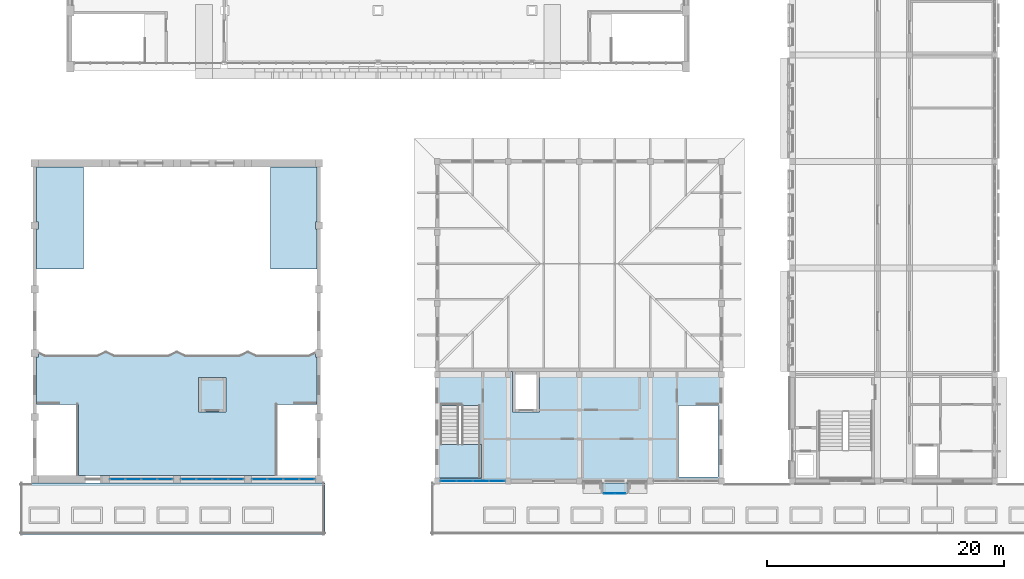
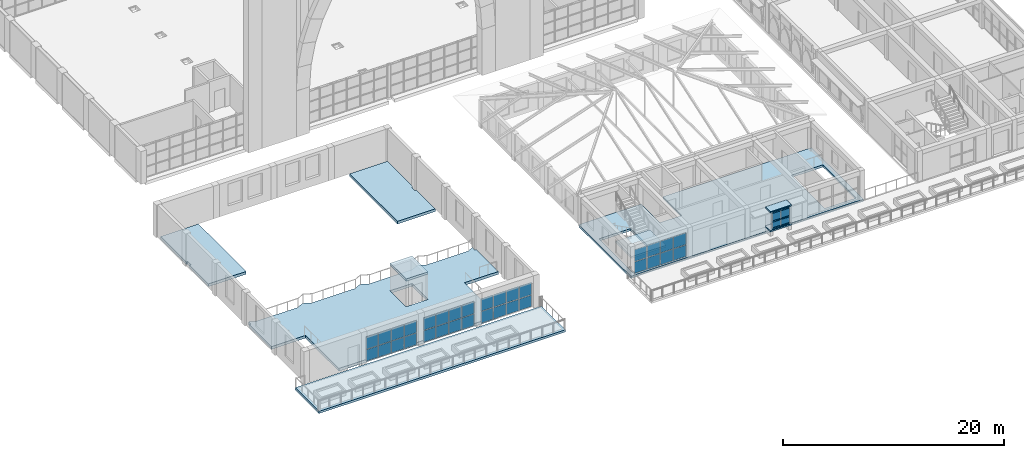
# One storey, part 34 of 82: 36 plates, 9 slabs, 6 members, 6 elements without a shape of their own.
"""IFC4 building model written with IfcOpenShell, lengths in metres."""

from ifc_helpers import new_model, si_unit, direction, frame, origin, origin_2d, place, context, subcontext, project, spatial, polyline, rectangle, outline, extrude, material, layer, layer_set, material_profile, profile_set, type_object, element, aggregate, save


model = new_model("IFC4")

# Units and contexts
model_context = context("Model", 3, precision=1e-05, world=origin(), true_north=direction((0.0, 1.0)))
body_context = subcontext(model_context, "Body", "Model", "MODEL_VIEW")
ifc_project = project(units=[si_unit("LENGTHUNIT", "METRE"), si_unit("AREAUNIT", "SQUARE_METRE"), si_unit("VOLUMEUNIT", "CUBIC_METRE"), si_unit("PLANEANGLEUNIT", "RADIAN"), si_unit("MASSUNIT", "GRAM", prefix="KILO")], contexts=[model_context])

# Site, building, storey
site_placement = place(None, origin())
site = spatial("IfcSite", under=ifc_project, at=site_placement, CompositionType="ELEMENT")
building_placement = place(site_placement, origin())
building = spatial("IfcBuilding", under=site, at=building_placement, Name="Elbe Cascade School", CompositionType="ELEMENT")
storey_placement = place(building_placement, frame((0.0, 0.0, 4.5)))
storey = spatial("IfcBuildingStorey", under=building, at=storey_placement, Name="L01", CompositionType="ELEMENT", Elevation=4.5)

# Curtain wall, members
ifc_material_1 = material(Name="Cafe jharokha curtain wall")
curtain_wall_type_1 = type_object("IfcCurtainWallType", Name="Cafe jharokha curtain wall", PredefinedType="NOTDEFINED", material=ifc_material_1)
curtain_wall_1_placement = place(storey_placement, origin())
curtain_wall_1 = element("IfcCurtainWall", 1, at=curtain_wall_1_placement, inside=storey, type_object=curtain_wall_type_1, Name="Curtain wall CW7 jharokha", PredefinedType="NOTDEFINED")
ifc_material_2 = material(Name="Aluminium - bronze anodised", Category="aluminium")
ifc_material_profile = material_profile(ifc_material_2, rectangle(XDim=0.06005859375, YDim=0.1201171875, at=origin_2d()), Name="RECT 60x120")
ifc_profile_set = profile_set([ifc_material_profile], Name="Aluminium - bronze anodised")
member_type = type_object("IfcMemberType", Name="Cafe jharokha transom 60 x 120", PredefinedType="USERDEFINED", material=ifc_profile_set)
member_1_placement = place(storey_placement, frame((53.110107421875, 4.949951171875, 0.830078125), z_axis=(1.0, 0.0, 0.0), x_axis=(0.0, 1.0, 0.0)))
member_1 = element("IfcMember", 2, at=member_1_placement, type_object=member_type, Name="CW7 transom 1.1", ObjectType="TRANSOM", PredefinedType="USERDEFINED", context=body_context, shape_type="SweptSolid", body=[
    extrude(rectangle(XDim=0.06005859375, YDim=0.1201171875, at=origin_2d()), origin(), (0.0, 0.0, 1.0), 0.85986328125),
])
member_2_placement = place(storey_placement, frame((53.110107421875, 4.949951171875, 1.60009765625), z_axis=(1.0, 0.0, 0.0), x_axis=(0.0, 1.0, 0.0)))
member_2 = element("IfcMember", 3, at=member_2_placement, type_object=member_type, Name="CW7 transom 1.2", ObjectType="TRANSOM", PredefinedType="USERDEFINED", context=body_context, shape_type="SweptSolid", body=[
    extrude(rectangle(XDim=0.06005859375, YDim=0.1201171875, at=origin_2d()), origin(), (0.0, 0.0, 1.0), 0.85986328125),
])
member_3_placement = place(storey_placement, frame((53.110107421875, 4.949951171875, 2.570068359375), z_axis=(1.0, 0.0, 0.0), x_axis=(0.0, 1.0, 0.0)))
member_3 = element("IfcMember", 4, at=member_3_placement, type_object=member_type, Name="CW7 transom 1.3", ObjectType="TRANSOM", PredefinedType="USERDEFINED", context=body_context, shape_type="SweptSolid", body=[
    extrude(rectangle(XDim=0.06005859375, YDim=0.1201171875, at=origin_2d()), origin(), (0.0, 0.0, 1.0), 0.85986328125),
])
member_4_placement = place(storey_placement, frame((54.030029296875, 4.949951171875, 0.830078125), z_axis=(1.0, 0.0, 0.0), x_axis=(0.0, 1.0, 0.0)))
member_4 = element("IfcMember", 5, at=member_4_placement, type_object=member_type, Name="CW7 transom 2.1", ObjectType="TRANSOM", PredefinedType="USERDEFINED", context=body_context, shape_type="SweptSolid", body=[
    extrude(rectangle(XDim=0.06005859375, YDim=0.1201171875, at=origin_2d()), origin(), (0.0, 0.0, 1.0), 0.85986328125),
])
member_5_placement = place(storey_placement, frame((54.030029296875, 4.949951171875, 1.60009765625), z_axis=(1.0, 0.0, 0.0), x_axis=(0.0, 1.0, 0.0)))
member_5 = element("IfcMember", 6, at=member_5_placement, type_object=member_type, Name="CW7 transom 2.2", ObjectType="TRANSOM", PredefinedType="USERDEFINED", context=body_context, shape_type="SweptSolid", body=[
    extrude(rectangle(XDim=0.06005859375, YDim=0.1201171875, at=origin_2d()), origin(), (0.0, 0.0, 1.0), 0.85986328125),
])
member_6_placement = place(storey_placement, frame((54.030029296875, 4.949951171875, 2.570068359375), z_axis=(1.0, 0.0, 0.0), x_axis=(0.0, 1.0, 0.0)))
member_6 = element("IfcMember", 7, at=member_6_placement, type_object=member_type, Name="CW7 transom 2.3", ObjectType="TRANSOM", PredefinedType="USERDEFINED", context=body_context, shape_type="SweptSolid", body=[
    extrude(rectangle(XDim=0.06005859375, YDim=0.1201171875, at=origin_2d()), origin(), (0.0, 0.0, 1.0), 0.85986328125),
])

# Curtain wall, plates
ifc_material_3 = material(Name="Assembly hall curtain wall")
curtain_wall_type_2 = type_object("IfcCurtainWallType", Name="Assembly hall curtain wall", PredefinedType="NOTDEFINED", material=ifc_material_3)
curtain_wall_2_placement = place(storey_placement, origin())
curtain_wall_2 = element("IfcCurtainWall", 8, at=curtain_wall_2_placement, inside=storey, type_object=curtain_wall_type_2, Name="Curtain wall CW8 AU.L01.cw.s1", PredefinedType="NOTDEFINED")
ifc_material_4 = material(Name="Glass - double glazed low-E", Category="glass")
ifc_layer_1 = layer(ifc_material_4, 0.028076171875)
ifc_layer_set_1 = layer_set([ifc_layer_1], Name="Glass - double glazed low-E")
plate_type_1 = type_object("IfcPlateType", Name="Assembly hall curtain wall glazing panel 28", PredefinedType="CURTAIN_PANEL", material=ifc_layer_set_1)
plate_1_placement = place(storey_placement, frame((11.989990234375, 6.14990234375, 0.06005859375), z_axis=(0.0, 0.0, 1.0), x_axis=(1.0, 0.0, 0.0)))
plate_1 = element("IfcPlate", 9, at=plate_1_placement, type_object=plate_type_1, Name="CW8 panel 1.1", PredefinedType="CURTAIN_PANEL", context=body_context, shape_type="SweptSolid", body=[
    extrude(rectangle(XDim=1.260009765625, YDim=0.028076171875, at=origin_2d()), origin(), (0.0, 0.0, 1.0), 1.260009765625),
])
plate_2_placement = place(storey_placement, frame((11.989990234375, 6.14990234375, 1.3798828125), z_axis=(0.0, 0.0, 1.0), x_axis=(1.0, 0.0, 0.0)))
plate_2 = element("IfcPlate", 10, at=plate_2_placement, type_object=plate_type_1, Name="CW8 panel 1.2", PredefinedType="CURTAIN_PANEL", context=body_context, shape_type="SweptSolid", body=[
    extrude(rectangle(XDim=1.260009765625, YDim=0.028076171875, at=origin_2d()), origin(), (0.0, 0.0, 1.0), 1.360107421875),
])
plate_3_placement = place(storey_placement, frame((13.324951171875, 6.14990234375, 0.06005859375), z_axis=(0.0, 0.0, 1.0), x_axis=(1.0, 0.0, 0.0)))
plate_3 = element("IfcPlate", 11, at=plate_3_placement, type_object=plate_type_1, Name="CW8 panel 2.1", PredefinedType="CURTAIN_PANEL", context=body_context, shape_type="SweptSolid", body=[
    extrude(rectangle(XDim=1.2900390625, YDim=0.028076171875, at=origin_2d()), origin(), (0.0, 0.0, 1.0), 1.260009765625),
])
plate_4_placement = place(storey_placement, frame((13.324951171875, 6.14990234375, 1.3798828125), z_axis=(0.0, 0.0, 1.0), x_axis=(1.0, 0.0, 0.0)))
plate_4 = element("IfcPlate", 12, at=plate_4_placement, type_object=plate_type_1, Name="CW8 panel 2.2", PredefinedType="CURTAIN_PANEL", context=body_context, shape_type="SweptSolid", body=[
    extrude(rectangle(XDim=1.2900390625, YDim=0.028076171875, at=origin_2d()), origin(), (0.0, 0.0, 1.0), 1.360107421875),
])
plate_5_placement = place(storey_placement, frame((14.675048828125, 6.14990234375, 0.06005859375), z_axis=(0.0, 0.0, 1.0), x_axis=(1.0, 0.0, 0.0)))
plate_5 = element("IfcPlate", 13, at=plate_5_placement, type_object=plate_type_1, Name="CW8 panel 3.1", PredefinedType="CURTAIN_PANEL", context=body_context, shape_type="SweptSolid", body=[
    extrude(rectangle(XDim=1.2900390625, YDim=0.028076171875, at=origin_2d()), origin(), (0.0, 0.0, 1.0), 1.260009765625),
])
plate_6_placement = place(storey_placement, frame((14.675048828125, 6.14990234375, 1.3798828125), z_axis=(0.0, 0.0, 1.0), x_axis=(1.0, 0.0, 0.0)))
plate_6 = element("IfcPlate", 14, at=plate_6_placement, type_object=plate_type_1, Name="CW8 panel 3.2", PredefinedType="CURTAIN_PANEL", context=body_context, shape_type="SweptSolid", body=[
    extrude(rectangle(XDim=1.2900390625, YDim=0.028076171875, at=origin_2d()), origin(), (0.0, 0.0, 1.0), 1.360107421875),
])
plate_7_placement = place(storey_placement, frame((16.010009765625, 6.14990234375, 0.06005859375), z_axis=(0.0, 0.0, 1.0), x_axis=(1.0, 0.0, 0.0)))
plate_7 = element("IfcPlate", 15, at=plate_7_placement, type_object=plate_type_1, Name="CW8 panel 4.1", PredefinedType="CURTAIN_PANEL", context=body_context, shape_type="SweptSolid", body=[
    extrude(rectangle(XDim=1.260009765625, YDim=0.028076171875, at=origin_2d()), origin(), (0.0, 0.0, 1.0), 1.260009765625),
])
plate_8_placement = place(storey_placement, frame((16.010009765625, 6.14990234375, 1.3798828125), z_axis=(0.0, 0.0, 1.0), x_axis=(1.0, 0.0, 0.0)))
plate_8 = element("IfcPlate", 16, at=plate_8_placement, type_object=plate_type_1, Name="CW8 panel 4.2", PredefinedType="CURTAIN_PANEL", context=body_context, shape_type="SweptSolid", body=[
    extrude(rectangle(XDim=1.260009765625, YDim=0.028076171875, at=origin_2d()), origin(), (0.0, 0.0, 1.0), 1.360107421875),
])
aggregate(curtain_wall_2, [plate_1, plate_2, plate_3, plate_4, plate_5, plate_6, plate_7, plate_8])

curtain_wall_3_placement = place(storey_placement, origin())
curtain_wall_3 = element("IfcCurtainWall", 17, at=curtain_wall_3_placement, inside=storey, type_object=curtain_wall_type_2, Name="Curtain wall CW8 AU.L01.cw.s2", PredefinedType="NOTDEFINED")
plate_9_placement = place(storey_placement, frame((17.989990234375, 6.14990234375, 0.06005859375), z_axis=(0.0, 0.0, 1.0), x_axis=(1.0, 0.0, 0.0)))
plate_9 = element("IfcPlate", 18, at=plate_9_placement, type_object=plate_type_1, Name="CW8 panel 1.1", PredefinedType="CURTAIN_PANEL", context=body_context, shape_type="SweptSolid", body=[
    extrude(rectangle(XDim=1.260009765625, YDim=0.028076171875, at=origin_2d()), origin(), (0.0, 0.0, 1.0), 1.260009765625),
])
plate_10_placement = place(storey_placement, frame((17.989990234375, 6.14990234375, 1.3798828125), z_axis=(0.0, 0.0, 1.0), x_axis=(1.0, 0.0, 0.0)))
plate_10 = element("IfcPlate", 19, at=plate_10_placement, type_object=plate_type_1, Name="CW8 panel 1.2", PredefinedType="CURTAIN_PANEL", context=body_context, shape_type="SweptSolid", body=[
    extrude(rectangle(XDim=1.260009765625, YDim=0.028076171875, at=origin_2d()), origin(), (0.0, 0.0, 1.0), 1.360107421875),
])
plate_11_placement = place(storey_placement, frame((19.324951171875, 6.14990234375, 0.06005859375), z_axis=(0.0, 0.0, 1.0), x_axis=(1.0, 0.0, 0.0)))
plate_11 = element("IfcPlate", 20, at=plate_11_placement, type_object=plate_type_1, Name="CW8 panel 2.1", PredefinedType="CURTAIN_PANEL", context=body_context, shape_type="SweptSolid", body=[
    extrude(rectangle(XDim=1.2900390625, YDim=0.028076171875, at=origin_2d()), origin(), (0.0, 0.0, 1.0), 1.260009765625),
])
plate_12_placement = place(storey_placement, frame((19.324951171875, 6.14990234375, 1.3798828125), z_axis=(0.0, 0.0, 1.0), x_axis=(1.0, 0.0, 0.0)))
plate_12 = element("IfcPlate", 21, at=plate_12_placement, type_object=plate_type_1, Name="CW8 panel 2.2", PredefinedType="CURTAIN_PANEL", context=body_context, shape_type="SweptSolid", body=[
    extrude(rectangle(XDim=1.2900390625, YDim=0.028076171875, at=origin_2d()), origin(), (0.0, 0.0, 1.0), 1.360107421875),
])
plate_13_placement = place(storey_placement, frame((20.675048828125, 6.14990234375, 0.06005859375), z_axis=(0.0, 0.0, 1.0), x_axis=(1.0, 0.0, 0.0)))
plate_13 = element("IfcPlate", 22, at=plate_13_placement, type_object=plate_type_1, Name="CW8 panel 3.1", PredefinedType="CURTAIN_PANEL", context=body_context, shape_type="SweptSolid", body=[
    extrude(rectangle(XDim=1.2900390625, YDim=0.028076171875, at=origin_2d()), origin(), (0.0, 0.0, 1.0), 1.260009765625),
])
plate_14_placement = place(storey_placement, frame((20.675048828125, 6.14990234375, 1.3798828125), z_axis=(0.0, 0.0, 1.0), x_axis=(1.0, 0.0, 0.0)))
plate_14 = element("IfcPlate", 23, at=plate_14_placement, type_object=plate_type_1, Name="CW8 panel 3.2", PredefinedType="CURTAIN_PANEL", context=body_context, shape_type="SweptSolid", body=[
    extrude(rectangle(XDim=1.2900390625, YDim=0.028076171875, at=origin_2d()), origin(), (0.0, 0.0, 1.0), 1.360107421875),
])
plate_15_placement = place(storey_placement, frame((22.010009765625, 6.14990234375, 0.06005859375), z_axis=(0.0, 0.0, 1.0), x_axis=(1.0, 0.0, 0.0)))
plate_15 = element("IfcPlate", 24, at=plate_15_placement, type_object=plate_type_1, Name="CW8 panel 4.1", PredefinedType="CURTAIN_PANEL", context=body_context, shape_type="SweptSolid", body=[
    extrude(rectangle(XDim=1.260009765625, YDim=0.028076171875, at=origin_2d()), origin(), (0.0, 0.0, 1.0), 1.260009765625),
])
plate_16_placement = place(storey_placement, frame((22.010009765625, 6.14990234375, 1.3798828125), z_axis=(0.0, 0.0, 1.0), x_axis=(1.0, 0.0, 0.0)))
plate_16 = element("IfcPlate", 25, at=plate_16_placement, type_object=plate_type_1, Name="CW8 panel 4.2", PredefinedType="CURTAIN_PANEL", context=body_context, shape_type="SweptSolid", body=[
    extrude(rectangle(XDim=1.260009765625, YDim=0.028076171875, at=origin_2d()), origin(), (0.0, 0.0, 1.0), 1.360107421875),
])
aggregate(curtain_wall_3, [plate_9, plate_10, plate_11, plate_12, plate_13, plate_14, plate_15, plate_16])

curtain_wall_4_placement = place(storey_placement, origin())
curtain_wall_4 = element("IfcCurtainWall", 26, at=curtain_wall_4_placement, inside=storey, type_object=curtain_wall_type_2, Name="Curtain wall CW8 AU.L01.cw.s3", PredefinedType="NOTDEFINED")
plate_17_placement = place(storey_placement, frame((23.989990234375, 6.14990234375, 0.06005859375), z_axis=(0.0, 0.0, 1.0), x_axis=(1.0, 0.0, 0.0)))
plate_17 = element("IfcPlate", 27, at=plate_17_placement, type_object=plate_type_1, Name="CW8 panel 1.1", PredefinedType="CURTAIN_PANEL", context=body_context, shape_type="SweptSolid", body=[
    extrude(rectangle(XDim=1.260009765625, YDim=0.028076171875, at=origin_2d()), origin(), (0.0, 0.0, 1.0), 1.260009765625),
])
plate_18_placement = place(storey_placement, frame((23.989990234375, 6.14990234375, 1.3798828125), z_axis=(0.0, 0.0, 1.0), x_axis=(1.0, 0.0, 0.0)))
plate_18 = element("IfcPlate", 28, at=plate_18_placement, type_object=plate_type_1, Name="CW8 panel 1.2", PredefinedType="CURTAIN_PANEL", context=body_context, shape_type="SweptSolid", body=[
    extrude(rectangle(XDim=1.260009765625, YDim=0.028076171875, at=origin_2d()), origin(), (0.0, 0.0, 1.0), 1.360107421875),
])
plate_19_placement = place(storey_placement, frame((25.324951171875, 6.14990234375, 0.06005859375), z_axis=(0.0, 0.0, 1.0), x_axis=(1.0, 0.0, 0.0)))
plate_19 = element("IfcPlate", 29, at=plate_19_placement, type_object=plate_type_1, Name="CW8 panel 2.1", PredefinedType="CURTAIN_PANEL", context=body_context, shape_type="SweptSolid", body=[
    extrude(rectangle(XDim=1.2900390625, YDim=0.028076171875, at=origin_2d()), origin(), (0.0, 0.0, 1.0), 1.260009765625),
])
plate_20_placement = place(storey_placement, frame((25.324951171875, 6.14990234375, 1.3798828125), z_axis=(0.0, 0.0, 1.0), x_axis=(1.0, 0.0, 0.0)))
plate_20 = element("IfcPlate", 30, at=plate_20_placement, type_object=plate_type_1, Name="CW8 panel 2.2", PredefinedType="CURTAIN_PANEL", context=body_context, shape_type="SweptSolid", body=[
    extrude(rectangle(XDim=1.2900390625, YDim=0.028076171875, at=origin_2d()), origin(), (0.0, 0.0, 1.0), 1.360107421875),
])
plate_21_placement = place(storey_placement, frame((26.675048828125, 6.14990234375, 0.06005859375), z_axis=(0.0, 0.0, 1.0), x_axis=(1.0, 0.0, 0.0)))
plate_21 = element("IfcPlate", 31, at=plate_21_placement, type_object=plate_type_1, Name="CW8 panel 3.1", PredefinedType="CURTAIN_PANEL", context=body_context, shape_type="SweptSolid", body=[
    extrude(rectangle(XDim=1.2900390625, YDim=0.028076171875, at=origin_2d()), origin(), (0.0, 0.0, 1.0), 1.260009765625),
])
plate_22_placement = place(storey_placement, frame((26.675048828125, 6.14990234375, 1.3798828125), z_axis=(0.0, 0.0, 1.0), x_axis=(1.0, 0.0, 0.0)))
plate_22 = element("IfcPlate", 32, at=plate_22_placement, type_object=plate_type_1, Name="CW8 panel 3.2", PredefinedType="CURTAIN_PANEL", context=body_context, shape_type="SweptSolid", body=[
    extrude(rectangle(XDim=1.2900390625, YDim=0.028076171875, at=origin_2d()), origin(), (0.0, 0.0, 1.0), 1.360107421875),
])
plate_23_placement = place(storey_placement, frame((28.010009765625, 6.14990234375, 0.06005859375), z_axis=(0.0, 0.0, 1.0), x_axis=(1.0, 0.0, 0.0)))
plate_23 = element("IfcPlate", 33, at=plate_23_placement, type_object=plate_type_1, Name="CW8 panel 4.1", PredefinedType="CURTAIN_PANEL", context=body_context, shape_type="SweptSolid", body=[
    extrude(rectangle(XDim=1.260009765625, YDim=0.028076171875, at=origin_2d()), origin(), (0.0, 0.0, 1.0), 1.260009765625),
])
plate_24_placement = place(storey_placement, frame((28.010009765625, 6.14990234375, 1.3798828125), z_axis=(0.0, 0.0, 1.0), x_axis=(1.0, 0.0, 0.0)))
plate_24 = element("IfcPlate", 34, at=plate_24_placement, type_object=plate_type_1, Name="CW8 panel 4.2", PredefinedType="CURTAIN_PANEL", context=body_context, shape_type="SweptSolid", body=[
    extrude(rectangle(XDim=1.260009765625, YDim=0.028076171875, at=origin_2d()), origin(), (0.0, 0.0, 1.0), 1.360107421875),
])
aggregate(curtain_wall_4, [plate_17, plate_18, plate_19, plate_20, plate_21, plate_22, plate_23, plate_24])

# Slabs
ifc_material_5 = material(Name="Concrete C30/37", Category="concrete")
ifc_layer_2 = layer(ifc_material_5, 0.300048828125)
ifc_layer_set_2 = layer_set([ifc_layer_2], Name="Concrete C30/37")
slab_type_1 = type_object("IfcSlabType", Name="Assembly hall gallery slab 300", PredefinedType="FLOOR", material=ifc_layer_set_2)
slab_1_placement = place(storey_placement, frame((0.0, 0.0, -0.300048828125)))
element("IfcSlab", 35, at=slab_1_placement, inside=storey, type_object=slab_type_1, Name="Assembly hall gallery slab 300 S16", PredefinedType="FLOOR", context=body_context, shape_type="SweptSolid", body=[
    extrude(outline(polyline([(8.699951171875, 6.449951171875), (8.699951171875, 12.47998046875), (5.14990234375, 12.47998046875), (5.14990234375, 16.5), (5.300048828125, 16.5), (5.300048828125, 16.929931640625), (5.89990234375, 16.64990234375), (10.25, 16.64990234375), (11.0, 17.0), (11.75, 16.64990234375), (16.25, 16.64990234375), (17.0, 17.0), (17.75, 16.64990234375), (22.25, 16.64990234375), (23.0, 17.0), (23.75, 16.64990234375), (28.10009765625, 16.64990234375), (28.699951171875, 16.929931640625), (28.699951171875, 16.5), (28.85009765625, 16.5), (28.85009765625, 12.47998046875), (25.300048828125, 12.47998046875), (25.300048828125, 6.449951171875), (8.699951171875, 6.449951171875)]), holes=[polyline([(21.14990234375, 14.75), (18.85009765625, 14.75), (18.85009765625, 11.85009765625), (21.14990234375, 11.85009765625), (21.14990234375, 14.75)])]), origin(), (0.0, 0.0, 1.0), 0.300048828125),
])
slab_2_placement = place(storey_placement, frame((0.0, 0.0, -0.300048828125)))
element("IfcSlab", 36, at=slab_2_placement, inside=storey, type_object=slab_type_1, Name="Assembly hall gallery slab 300 S16", PredefinedType="FLOOR", context=body_context, shape_type="SweptSolid", body=[
    extrude(outline(polyline([(5.14990234375, 32.550048828125), (9.10009765625, 32.550048828125), (9.10009765625, 23.89990234375), (5.14990234375, 23.89990234375), (5.14990234375, 27.300048828125), (5.300048828125, 27.300048828125), (5.300048828125, 27.89990234375), (5.14990234375, 27.89990234375), (5.14990234375, 32.550048828125)])), origin(), (0.0, 0.0, 1.0), 0.300048828125),
])
slab_3_placement = place(storey_placement, frame((0.0, 0.0, -0.300048828125)))
element("IfcSlab", 37, at=slab_3_placement, inside=storey, type_object=slab_type_1, Name="Assembly hall gallery slab 300 S16", PredefinedType="FLOOR", context=body_context, shape_type="SweptSolid", body=[
    extrude(outline(polyline([(28.85009765625, 23.89990234375), (24.89990234375, 23.89990234375), (24.89990234375, 32.550048828125), (28.85009765625, 32.550048828125), (28.85009765625, 27.89990234375), (28.699951171875, 27.89990234375), (28.699951171875, 27.300048828125), (28.85009765625, 27.300048828125), (28.85009765625, 23.89990234375)])), origin(), (0.0, 0.0, 1.0), 0.300048828125),
])
ifc_material_6 = material(Name="Concrete C30/37", Category="concrete")
ifc_layer_3 = layer(ifc_material_6, 0.25)
ifc_layer_set_3 = layer_set([ifc_layer_3], Name="Concrete C30/37")
slab_type_2 = type_object("IfcSlabType", Name="Assembly hall lift overrun roof slab 250", PredefinedType="ROOF", material=ifc_layer_set_3)
slab_4_placement = place(storey_placement, frame((0.0, 0.0, 2.800048828125)))
element("IfcSlab", 38, at=slab_4_placement, inside=storey, type_object=slab_type_2, Name="Assembly hall lift overrun roof slab 250 S15", PredefinedType="ROOF", context=body_context, shape_type="SweptSolid", body=[
    extrude(outline(polyline([(21.14990234375, 11.85009765625), (21.14990234375, 14.75), (18.85009765625, 14.75), (18.85009765625, 11.85009765625), (21.14990234375, 11.85009765625)])), origin(), (0.0, 0.0, 1.0), 0.25),
])

# Curtain wall, plates
ifc_material_7 = material(Name="Cafe curtain wall")
curtain_wall_type_3 = type_object("IfcCurtainWallType", Name="Cafe curtain wall", PredefinedType="NOTDEFINED", material=ifc_material_7)
curtain_wall_5_placement = place(storey_placement, origin())
curtain_wall_5 = element("IfcCurtainWall", 39, at=curtain_wall_5_placement, inside=storey, type_object=curtain_wall_type_3, Name="Curtain wall CW1 DI.L01.cw.s0", PredefinedType="NOTDEFINED")
ifc_material_8 = material(Name="Glass - double glazed low-E", Category="glass")
ifc_layer_4 = layer(ifc_material_8, 0.028076171875)
ifc_layer_set_4 = layer_set([ifc_layer_4], Name="Glass - double glazed low-E")
plate_type_2 = type_object("IfcPlateType", Name="Cafe curtain wall glazing panel 28", PredefinedType="CURTAIN_PANEL", material=ifc_layer_set_4)
plate_25_placement = place(storey_placement, frame((39.952392578125, 6.0, 0.06005859375), z_axis=(0.0, 0.0, 1.0), x_axis=(1.0, 0.0, 0.0)))
plate_25 = element("IfcPlate", 40, at=plate_25_placement, type_object=plate_type_2, Name="CW1 panel 1.1", PredefinedType="CURTAIN_PANEL", context=body_context, shape_type="SweptSolid", body=[
    extrude(rectangle(XDim=1.284912109375, YDim=0.028076171875, at=origin_2d()), origin(), (0.0, 0.0, 1.0), 1.260009765625),
])
plate_26_placement = place(storey_placement, frame((39.952392578125, 6.0, 1.3798828125), z_axis=(0.0, 0.0, 1.0), x_axis=(1.0, 0.0, 0.0)))
plate_26 = element("IfcPlate", 41, at=plate_26_placement, type_object=plate_type_2, Name="CW1 panel 1.2", PredefinedType="CURTAIN_PANEL", context=body_context, shape_type="SweptSolid", body=[
    extrude(rectangle(XDim=1.284912109375, YDim=0.028076171875, at=origin_2d()), origin(), (0.0, 0.0, 1.0), 1.31005859375),
])
plate_27_placement = place(storey_placement, frame((41.3125, 6.0, 0.06005859375), z_axis=(0.0, 0.0, 1.0), x_axis=(1.0, 0.0, 0.0)))
plate_27 = element("IfcPlate", 42, at=plate_27_placement, type_object=plate_type_2, Name="CW1 panel 2.1", PredefinedType="CURTAIN_PANEL", context=body_context, shape_type="SweptSolid", body=[
    extrude(rectangle(XDim=1.31494140625, YDim=0.028076171875, at=origin_2d()), origin(), (0.0, 0.0, 1.0), 1.260009765625),
])
plate_28_placement = place(storey_placement, frame((41.3125, 6.0, 1.3798828125), z_axis=(0.0, 0.0, 1.0), x_axis=(1.0, 0.0, 0.0)))
plate_28 = element("IfcPlate", 43, at=plate_28_placement, type_object=plate_type_2, Name="CW1 panel 2.2", PredefinedType="CURTAIN_PANEL", context=body_context, shape_type="SweptSolid", body=[
    extrude(rectangle(XDim=1.31494140625, YDim=0.028076171875, at=origin_2d()), origin(), (0.0, 0.0, 1.0), 1.31005859375),
])
plate_29_placement = place(storey_placement, frame((42.6875, 6.0, 0.06005859375), z_axis=(0.0, 0.0, 1.0), x_axis=(1.0, 0.0, 0.0)))
plate_29 = element("IfcPlate", 44, at=plate_29_placement, type_object=plate_type_2, Name="CW1 panel 3.1", PredefinedType="CURTAIN_PANEL", context=body_context, shape_type="SweptSolid", body=[
    extrude(rectangle(XDim=1.31494140625, YDim=0.028076171875, at=origin_2d()), origin(), (0.0, 0.0, 1.0), 1.260009765625),
])
plate_30_placement = place(storey_placement, frame((42.6875, 6.0, 1.3798828125), z_axis=(0.0, 0.0, 1.0), x_axis=(1.0, 0.0, 0.0)))
plate_30 = element("IfcPlate", 45, at=plate_30_placement, type_object=plate_type_2, Name="CW1 panel 3.2", PredefinedType="CURTAIN_PANEL", context=body_context, shape_type="SweptSolid", body=[
    extrude(rectangle(XDim=1.31494140625, YDim=0.028076171875, at=origin_2d()), origin(), (0.0, 0.0, 1.0), 1.31005859375),
])
plate_31_placement = place(storey_placement, frame((44.047607421875, 6.0, 0.06005859375), z_axis=(0.0, 0.0, 1.0), x_axis=(1.0, 0.0, 0.0)))
plate_31 = element("IfcPlate", 46, at=plate_31_placement, type_object=plate_type_2, Name="CW1 panel 4.1", PredefinedType="CURTAIN_PANEL", context=body_context, shape_type="SweptSolid", body=[
    extrude(rectangle(XDim=1.284912109375, YDim=0.028076171875, at=origin_2d()), origin(), (0.0, 0.0, 1.0), 1.260009765625),
])
plate_32_placement = place(storey_placement, frame((44.047607421875, 6.0, 1.3798828125), z_axis=(0.0, 0.0, 1.0), x_axis=(1.0, 0.0, 0.0)))
plate_32 = element("IfcPlate", 47, at=plate_32_placement, type_object=plate_type_2, Name="CW1 panel 4.2", PredefinedType="CURTAIN_PANEL", context=body_context, shape_type="SweptSolid", body=[
    extrude(rectangle(XDim=1.284912109375, YDim=0.028076171875, at=origin_2d()), origin(), (0.0, 0.0, 1.0), 1.31005859375),
])
aggregate(curtain_wall_5, [plate_25, plate_26, plate_27, plate_28, plate_29, plate_30, plate_31, plate_32])

# Slab
ifc_material_9 = material(Name="Concrete C30/37", Category="concrete")
ifc_layer_5 = layer(ifc_material_9, 0.14990234375)
ifc_layer_set_5 = layer_set([ifc_layer_5], Name="Concrete C30/37")
slab_type_3 = type_object("IfcSlabType", Name="Cafe jharokha floor slab 150", PredefinedType="FLOOR", material=ifc_layer_set_5)
slab_5_placement = place(storey_placement, frame((0.0, 0.0, 0.5)))
element("IfcSlab", 48, at=slab_5_placement, inside=storey, type_object=slab_type_3, Name="Cafe jharokha floor slab 150 S43", PredefinedType="FLOOR", context=body_context, shape_type="SweptSolid", body=[
    extrude(outline(polyline([(55.10009765625, 4.949951171875), (55.10009765625, 5.85009765625), (52.89990234375, 5.85009765625), (52.89990234375, 4.949951171875), (55.10009765625, 4.949951171875)])), origin(), (0.0, 0.0, 1.0), 0.14990234375),
])

# Plate
ifc_material_10 = material(Name="Glass - double glazed low-E", Category="glass")
ifc_layer_6 = layer(ifc_material_10, 0.028076171875)
ifc_layer_set_6 = layer_set([ifc_layer_6], Name="Glass - double glazed low-E")
plate_type_3 = type_object("IfcPlateType", Name="Cafe jharokha glazing panel 28", PredefinedType="CURTAIN_PANEL", material=ifc_layer_set_6)
plate_33_placement = place(storey_placement, frame((53.5400390625, 4.949951171875, 0.860107421875), z_axis=(0.0, 0.0, 1.0), x_axis=(1.0, 0.0, 0.0)))
plate_33 = element("IfcPlate", 49, at=plate_33_placement, type_object=plate_type_3, Name="CW7 panel 1.1", PredefinedType="CURTAIN_PANEL", context=body_context, shape_type="SweptSolid", body=[
    extrude(rectangle(XDim=0.860107421875, YDim=0.028076171875, at=origin_2d()), origin(), (0.0, 0.0, 1.0), 0.7099609375),
])

plate_34_placement = place(storey_placement, frame((53.5400390625, 4.949951171875, 1.6298828125), z_axis=(0.0, 0.0, 1.0), x_axis=(1.0, 0.0, 0.0)))
plate_34 = element("IfcPlate", 50, at=plate_34_placement, type_object=plate_type_3, Name="CW7 panel 1.2", PredefinedType="CURTAIN_PANEL", context=body_context, shape_type="SweptSolid", body=[
    extrude(rectangle(XDim=0.860107421875, YDim=0.028076171875, at=origin_2d()), origin(), (0.0, 0.0, 1.0), 0.909912109375),
])

plate_35_placement = place(storey_placement, frame((54.4599609375, 4.949951171875, 0.860107421875), z_axis=(0.0, 0.0, 1.0), x_axis=(1.0, 0.0, 0.0)))
plate_35 = element("IfcPlate", 51, at=plate_35_placement, type_object=plate_type_3, Name="CW7 panel 2.1", PredefinedType="CURTAIN_PANEL", context=body_context, shape_type="SweptSolid", body=[
    extrude(rectangle(XDim=0.860107421875, YDim=0.028076171875, at=origin_2d()), origin(), (0.0, 0.0, 1.0), 0.7099609375),
])

plate_36_placement = place(storey_placement, frame((54.4599609375, 4.949951171875, 1.6298828125), z_axis=(0.0, 0.0, 1.0), x_axis=(1.0, 0.0, 0.0)))
plate_36 = element("IfcPlate", 52, at=plate_36_placement, type_object=plate_type_3, Name="CW7 panel 2.2", PredefinedType="CURTAIN_PANEL", context=body_context, shape_type="SweptSolid", body=[
    extrude(rectangle(XDim=0.860107421875, YDim=0.028076171875, at=origin_2d()), origin(), (0.0, 0.0, 1.0), 0.909912109375),
])

aggregate(curtain_wall_1, [member_1, member_2, member_3, plate_33, plate_34, member_4, member_5, member_6, plate_35, plate_36])

# Slabs
ifc_material_11 = material(Name="Concrete C30/37", Category="concrete")
ifc_layer_7 = layer(ifc_material_11, 0.14990234375)
ifc_layer_set_7 = layer_set([ifc_layer_7], Name="Concrete C30/37")
slab_type_4 = type_object("IfcSlabType", Name="Cafe jharokha roof slab 150", PredefinedType="ROOF", material=ifc_layer_set_7)
slab_6_placement = place(storey_placement, frame((0.0, 0.0, 2.60009765625)))
element("IfcSlab", 53, at=slab_6_placement, inside=storey, type_object=slab_type_4, Name="Cafe jharokha roof slab 150 S44", PredefinedType="ROOF", context=body_context, shape_type="SweptSolid", body=[
    extrude(outline(polyline([(55.10009765625, 4.949951171875), (55.10009765625, 5.85009765625), (52.89990234375, 5.85009765625), (52.89990234375, 4.949951171875), (55.10009765625, 4.949951171875)])), origin(), (0.0, 0.0, 1.0), 0.14990234375),
])
ifc_material_12 = material(Name="Concrete C30/37", Category="concrete")
ifc_layer_8 = layer(ifc_material_12, 0.25)
ifc_layer_set_8 = layer_set([ifc_layer_8], Name="Concrete C30/37")
slab_type_5 = type_object("IfcSlabType", Name="Cafe wing floor slab 250", PredefinedType="FLOOR", material=ifc_layer_set_8)
slab_7_placement = place(storey_placement, frame((0.0, 0.0, -0.25)))
element("IfcSlab", 54, at=slab_7_placement, inside=storey, type_object=slab_type_5, Name="Cafe wing floor slab 250 S21", PredefinedType="FLOOR", context=body_context, shape_type="SweptSolid", body=[
    extrude(outline(polyline([(63.14990234375, 15.25), (63.14990234375, 5.85009765625), (38.85009765625, 5.85009765625), (38.85009765625, 15.25), (45.35009765625, 15.25), (45.35009765625, 11.85009765625), (47.64990234375, 11.85009765625), (47.64990234375, 15.25), (63.14990234375, 15.25)]), holes=[polyline([(42.60009765625, 6.35009765625), (42.60009765625, 12.3798828125), (39.300048828125, 12.3798828125), (39.300048828125, 6.35009765625), (42.60009765625, 6.35009765625)]), polyline([(59.39990234375, 6.35009765625), (62.699951171875, 6.35009765625), (62.699951171875, 12.3798828125), (59.39990234375, 12.3798828125), (59.39990234375, 6.35009765625)])]), origin(), (0.0, 0.0, 1.0), 0.25),
])

# Stair, slab
ifc_material_13 = material(Name="Concrete C30/37", Category="concrete")
stair_type = type_object("IfcStairType", Name="Cafe wing dogleg stair", PredefinedType="HALF_TURN_STAIR", material=ifc_material_13)
stair_placement = place(storey_placement, origin())
stair = element("IfcStair", 55, at=stair_placement, inside=storey, type_object=stair_type, Name="Cafe wing dogleg stair ST7", PredefinedType="HALF_TURN_STAIR")
ifc_material_14 = material(Name="Concrete C30/37", Category="concrete")
ifc_layer_9 = layer(ifc_material_14, 0.199951171875)
ifc_layer_set_9 = layer_set([ifc_layer_9], Name="Concrete C30/37")
slab_type_6 = type_object("IfcSlabType", Name="Cafe wing stair landing", PredefinedType="LANDING", material=ifc_layer_set_9)
slab_8_placement = place(storey_placement, frame((0.0, 0.0, 1.60009765625)))
slab_8 = element("IfcSlab", 56, at=slab_8_placement, type_object=slab_type_6, Name="ST7 landing 1", PredefinedType="LANDING", context=body_context, shape_type="SweptSolid", body=[
    extrude(outline(polyline([(39.14990234375, 6.25), (42.75, 6.25), (42.75, 9.10009765625), (39.14990234375, 9.10009765625), (39.14990234375, 6.25)])), origin(), (0.0, 0.0, 1.0), 0.199951171875),
])
aggregate(stair, [slab_8])

# Slab
ifc_material_15 = material(Name="Concrete C35/45", Category="concrete")
ifc_layer_10 = layer(ifc_material_15, 0.25)
ifc_layer_set_10 = layer_set([ifc_layer_10], Name="Concrete C35/45")
slab_type_7 = type_object("IfcSlabType", Name="Colonnade roof slab 250", PredefinedType="ROOF", material=ifc_layer_set_10)
slab_9_placement = place(storey_placement, frame((0.0, 0.0, -0.25)))
element("IfcSlab", 57, at=slab_9_placement, inside=storey, type_object=slab_type_7, Name="Colonnade roof slab 1.1", PredefinedType="ROOF", context=body_context, shape_type="SweptSolid", body=[
    extrude(outline(polyline([(3.77490234375, 1.5), (29.5, 1.5), (29.5, 5.820068359375), (3.77490234375, 5.820068359375), (3.77490234375, 1.5)])), origin(), (0.0, 0.0, 1.0), 0.25),
])

save(model, "model.ifc")
